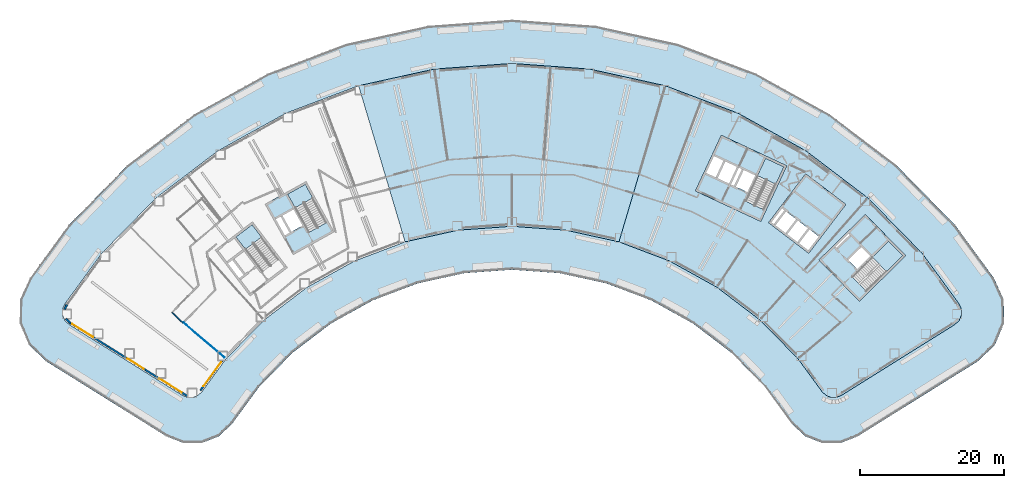
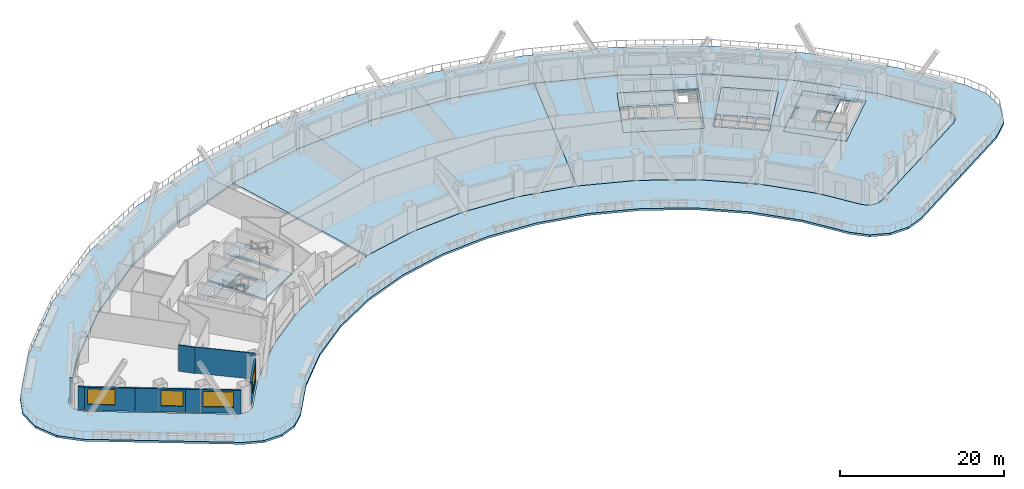
# One storey, part 2 of 12: 11 slabs, 8 walls, 4 windows, 4 openings, 4 elements without a shape of their own.
"""IFC4 building model written with IfcOpenShell, lengths in metres."""

from ifc_helpers import new_model, si_unit, direction, frame, frame_2d, origin, place, context, subcontext, project, spatial, polyline, rectangle, outline, extrude, material, layer, layer_set, type_object, element, fill, aggregate, save


model = new_model("IFC4")

# Units and contexts
model_context = context("Model", 3, precision=1e-05, world=origin(), true_north=direction((0.0, 1.0)))
body_context = subcontext(model_context, "Body", "Model", "MODEL_VIEW")
ifc_project = project(units=[si_unit("LENGTHUNIT", "METRE"), si_unit("AREAUNIT", "SQUARE_METRE"), si_unit("VOLUMEUNIT", "CUBIC_METRE"), si_unit("PLANEANGLEUNIT", "RADIAN"), si_unit("MASSUNIT", "GRAM", prefix="KILO")], contexts=[model_context])

# Site, building, storey
site_placement = place(None, origin())
site = spatial("IfcSite", under=ifc_project, at=site_placement, CompositionType="ELEMENT")
building_placement = place(site_placement, origin())
building = spatial("IfcBuilding", under=site, at=building_placement, Name="Tuul Gate Civic Tower", CompositionType="ELEMENT")
storey_placement = place(building_placement, frame((0.0, 0.0, 31.5)))
storey = spatial("IfcBuildingStorey", under=building, at=storey_placement, Name="Level 06", CompositionType="ELEMENT", Elevation=31.5)

# Slabs
ifc_material_1 = material(Name="Concrete C40/50", Category="concrete")
ifc_layer_1 = layer(ifc_material_1, 0.300048828125)
ifc_layer_set_1 = layer_set([ifc_layer_1], Name="Concrete C40/50")
slab_type_1 = type_object("IfcSlabType", Name="Core floor slab 300", PredefinedType="FLOOR", material=ifc_layer_set_1)
slab_1_placement = place(storey_placement, frame((0.0, 0.0, -0.300048828125)))
element("IfcSlab", 1, at=slab_1_placement, inside=storey, type_object=slab_type_1, Name="FLOOR SLAB", PredefinedType="FLOOR", context=body_context, shape_type="SweptSolid", body=[
    extrude(outline(polyline([(-24.638916015625, -8.846923828125), (-28.51708984375, -1.849853515625), (-34.2021484375, -5.0009765625), (-30.32421875, -11.998046875), (-24.638916015625, -8.846923828125)]), holes=[polyline([(-29.0185546875, -7.958740234375), (-30.254638671875, -5.728515625), (-31.785400390625, -6.576904296875), (-30.54931640625, -8.80712890625), (-29.0185546875, -7.958740234375)]), polyline([(-30.8115234375, -8.95263671875), (-32.047607421875, -6.72216796875), (-32.8349609375, -7.158447265625), (-31.5986328125, -9.388916015625), (-30.8115234375, -8.95263671875)]), polyline([(-25.702392578125, -7.548828125), (-28.14990234375, -8.905517578125), (-31.08203125, -3.615234375), (-28.63427734375, -2.2587890625), (-25.702392578125, -7.548828125)])]), origin(), (0.0, 0.0, 1.0), 0.300048828125),
])
slab_2_placement = place(storey_placement, frame((0.0, 0.0, -0.300048828125)))
element("IfcSlab", 2, at=slab_2_placement, inside=storey, type_object=slab_type_1, Name="FLOOR SLAB", PredefinedType="FLOOR", context=body_context, shape_type="SweptSolid", body=[
    extrude(outline(polyline([(48.117919921875, -18.43310546875), (54.545166015625, -12.1328125), (48.945068359375, -6.419921875), (42.517822265625, -12.719970703125), (48.117919921875, -18.43310546875)]), holes=[polyline([(47.808837890625, -13.974853515625), (49.6298828125, -12.18994140625), (48.40478515625, -10.940185546875), (46.583984375, -12.72509765625), (47.808837890625, -13.974853515625)]), polyline([(44.93896484375, -11.046875), (46.760009765625, -9.261962890625), (46.514892578125, -9.011962890625), (44.69384765625, -10.797119140625), (44.93896484375, -11.046875)]), polyline([(49.086181640625, -17.062744140625), (47.12744140625, -15.064208984375), (52.160888671875, -10.130126953125), (54.11962890625, -12.128662109375), (49.086181640625, -17.062744140625)])]), origin(), (0.0, 0.0, 1.0), 0.300048828125),
])
slab_3_placement = place(storey_placement, frame((0.0, 0.0, -0.300048828125)))
element("IfcSlab", 3, at=slab_3_placement, inside=storey, type_object=slab_type_1, Name="FLOOR SLAB", PredefinedType="FLOOR", context=body_context, shape_type="SweptSolid", body=[
    extrude(outline(polyline([(34.465087890625, -7.385986328125), (38.056884765625, 0.31787109375), (28.993896484375, 4.543701171875), (25.40185546875, -3.159912109375), (34.465087890625, -7.385986328125)]), holes=[polyline([(32.60888671875, -3.32080078125), (33.6865234375, -1.009765625), (32.1005859375, -0.27001953125), (31.02294921875, -2.581298828125), (32.60888671875, -3.32080078125)]), polyline([(30.0712890625, -2.137451171875), (31.14892578125, 0.173583984375), (29.562744140625, 0.9130859375), (28.4853515625, -1.39794921875), (30.0712890625, -2.137451171875)]), polyline([(30.751220703125, -2.454345703125), (31.82861328125, -0.143310546875), (31.4208984375, 0.046875), (30.34326171875, -2.264404296875), (30.751220703125, -2.454345703125)]), polyline([(28.21337890625, -1.27099609375), (29.291015625, 1.0400390625), (27.8408203125, 1.71630859375), (26.76318359375, -0.594970703125), (28.21337890625, -1.27099609375)]), polyline([(34.889892578125, -5.7626953125), (32.353759765625, -4.580078125), (35.120849609375, 1.354736328125), (37.6572265625, 0.17236328125), (34.889892578125, -5.7626953125)])]), origin(), (0.0, 0.0, 1.0), 0.300048828125),
])
ifc_material_2 = material(Name="Concrete C40/50", Category="concrete")
ifc_layer_2 = layer(ifc_material_2, 0.300048828125)
ifc_layer_set_2 = layer_set([ifc_layer_2], Name="Concrete C40/50")
slab_type_2 = type_object("IfcSlabType", Name="Core floor slab 300 non-bearing", PredefinedType="FLOOR", material=ifc_layer_set_2)
slab_4_placement = place(storey_placement, frame((0.0, 0.0, -0.300048828125)))
element("IfcSlab", 4, at=slab_4_placement, inside=storey, type_object=slab_type_2, Name="FLOOR SLAB", PredefinedType="FLOOR", context=body_context, shape_type="SweptSolid", body=[
    extrude(outline(polyline([(41.10107421875, -11.797119140625), (46.25, -5.033935546875), (40.680908203125, -0.79296875), (35.531982421875, -7.555908203125), (41.10107421875, -11.797119140625)]), holes=[polyline([(41.044189453125, -11.37646484375), (42.497802734375, -9.467041015625), (41.22509765625, -8.49755859375), (39.77099609375, -10.4072265625), (41.044189453125, -11.37646484375)]), polyline([(39.532470703125, -10.225341796875), (40.986328125, -8.31591796875), (39.593994140625, -7.255615234375), (38.14013671875, -9.165283203125), (39.532470703125, -10.225341796875)]), polyline([(37.901611328125, -8.9833984375), (39.35546875, -7.073974609375), (37.963134765625, -6.013671875), (36.50927734375, -7.923095703125), (37.901611328125, -8.9833984375)]), polyline([(36.1796875, -7.860595703125), (37.724609375, -5.831787109375), (37.286865234375, -5.49853515625), (35.7421875, -7.527587890625), (36.1796875, -7.860595703125)])]), origin(), (0.0, 0.0, 1.0), 0.300048828125),
])

# Stair, slab
ifc_material_3 = material(Name="Concrete C40/50", Category="concrete")
stair_type = type_object("IfcStairType", Name="Exit stair", PredefinedType="HALF_TURN_STAIR", material=ifc_material_3)
stair_1_placement = place(storey_placement, origin())
stair_1 = element("IfcStair", 5, at=stair_1_placement, inside=storey, type_object=stair_type, Name="Level 06 ST-1", PredefinedType="HALF_TURN_STAIR")
ifc_material_4 = material(Name="Concrete C40/50", Category="concrete")
ifc_layer_3 = layer(ifc_material_4, 0.199951171875)
ifc_layer_set_3 = layer_set([ifc_layer_3], Name="Concrete C40/50")
slab_type_3 = type_object("IfcSlabType", Name="Exit stair landing", PredefinedType="LANDING", material=ifc_layer_set_3)
slab_5_placement = place(storey_placement, frame((0.0, 0.0, 1.89990234375)))
slab_5 = element("IfcSlab", 6, at=slab_5_placement, type_object=slab_type_3, Name="ST-1 landing 1", PredefinedType="LANDING", context=body_context, shape_type="SweptSolid", body=[
    extrude(outline(polyline([(-34.699462890625, -9.554931640625), (-36.9287109375, -11.252197265625), (-38.23193359375, -9.540283203125), (-36.0029296875, -7.843017578125), (-34.699462890625, -9.554931640625)])), origin(), (0.0, 0.0, 1.0), 0.2001953125),
])
aggregate(stair_1, [slab_5])

stair_2_placement = place(storey_placement, origin())
stair_2 = element("IfcStair", 7, at=stair_2_placement, inside=storey, type_object=stair_type, Name="Level 06 ST-2", PredefinedType="HALF_TURN_STAIR")
slab_6_placement = place(storey_placement, frame((0.0, 0.0, 1.89990234375)))
slab_6 = element("IfcSlab", 8, at=slab_6_placement, type_object=slab_type_3, Name="ST-2 landing 1", PredefinedType="LANDING", context=body_context, shape_type="SweptSolid", body=[
    extrude(outline(polyline([(-27.5908203125, -4.138427734375), (-30.041015625, -5.49658203125), (-31.084228515625, -3.61474609375), (-28.6337890625, -2.256591796875), (-27.5908203125, -4.138427734375)])), origin(), (0.0, 0.0, 1.0), 0.2001953125),
])
aggregate(stair_2, [slab_6])

stair_3_placement = place(storey_placement, origin())
stair_3 = element("IfcStair", 9, at=stair_3_placement, inside=storey, type_object=stair_type, Name="Level 06 ST-3", PredefinedType="HALF_TURN_STAIR")
slab_7_placement = place(storey_placement, frame((0.0, 0.0, 1.89990234375)))
slab_7 = element("IfcSlab", 10, at=slab_7_placement, type_object=slab_type_3, Name="ST-3 landing 1", PredefinedType="LANDING", context=body_context, shape_type="SweptSolid", body=[
    extrude(outline(polyline([(51.871337890625, -14.3349609375), (49.91015625, -12.334228515625), (52.160888671875, -10.1279296875), (54.1220703125, -12.128662109375), (51.871337890625, -14.3349609375)])), origin(), (0.0, 0.0, 1.0), 0.2001953125),
])
aggregate(stair_3, [slab_7])

stair_4_placement = place(storey_placement, origin())
stair_4 = element("IfcStair", 11, at=stair_4_placement, inside=storey, type_object=stair_type, Name="Level 06 ST-4", PredefinedType="HALF_TURN_STAIR")
slab_8_placement = place(storey_placement, frame((0.0, 0.0, 1.89990234375)))
slab_8 = element("IfcSlab", 12, at=slab_8_placement, type_object=slab_type_3, Name="ST-4 landing 1", PredefinedType="LANDING", context=body_context, shape_type="SweptSolid", body=[
    extrude(outline(polyline([(36.538818359375, -2.230224609375), (33.999755859375, -1.046142578125), (35.1201171875, 1.35693359375), (37.659423828125, 0.173095703125), (36.538818359375, -2.230224609375)])), origin(), (0.0, 0.0, 1.0), 0.2001953125),
])
aggregate(stair_4, [slab_8])

# Slabs
ifc_material_5 = material(Name="Concrete C35/45", Category="concrete")
ifc_layer_4 = layer(ifc_material_5, 0.300048828125)
ifc_layer_set_4 = layer_set([ifc_layer_4], Name="Concrete C35/45")
slab_type_4 = type_object("IfcSlabType", Name="STR-FLOOR-SLAB-300", PredefinedType="FLOOR", material=ifc_layer_set_4)
slab_9_placement = place(storey_placement, frame((0.0, 0.0, -0.300048828125)))
element("IfcSlab", 13, at=slab_9_placement, inside=storey, type_object=slab_type_4, Name="Level 06/slab/M", PredefinedType="FLOOR", context=body_context, shape_type="SweptSolid", body=[
    extrude(outline(polyline([(14.81396484375, -10.216064453125), (21.248046875, 11.406005859375), (10.736083984375, 13.721923828125), (0.0, 14.5), (-10.736083984375, 13.721923828125), (-21.248046875, 11.406005859375), (-14.81396484375, -10.216064453125), (-7.485107421875, -8.60107421875), (0.0, -8.05908203125), (7.485107421875, -8.60107421875), (14.81396484375, -10.216064453125)])), origin(), (0.0, 0.0, 1.0), 0.300048828125),
])
slab_10_placement = place(storey_placement, frame((0.0, 0.0, -0.300048828125)))
element("IfcSlab", 14, at=slab_10_placement, inside=storey, type_object=slab_type_4, Name="Level 06/slab/E", PredefinedType="FLOOR", context=body_context, shape_type="SweptSolid", body=[
    extrude(outline(polyline([(44.931884765625, -31.760009765625), (45.6259765625, -31.489990234375), (61.35595703125, -21.659912109375), (61.945068359375, -21.095947265625), (62.260009765625, -20.343017578125), (62.248046875, -19.528076171875), (61.910888671875, -18.784912109375), (56.8310546875, -11.827880859375), (49.2958984375, -4.14111328125), (40.73095703125, 2.3798828125), (31.31689453125, 7.597900390625), (21.248046875, 11.406005859375), (14.81396484375, -10.216064453125), (21.833984375, -12.87109375), (28.39794921875, -16.509033203125), (34.368896484375, -21.055908203125), (39.6220703125, -26.4150390625), (42.950927734375, -30.972900390625), (43.4951171875, -31.48193359375), (44.18701171875, -31.757080078125), (44.931884765625, -31.760009765625)]), holes=[polyline([(48.117919921875, -18.43310546875), (42.51806640625, -12.719970703125), (48.945068359375, -6.419921875), (54.544921875, -12.133056640625), (48.117919921875, -18.43310546875)]), polyline([(35.531982421875, -7.555908203125), (40.680908203125, -0.79296875), (46.25, -5.033935546875), (41.10107421875, -11.797119140625), (35.531982421875, -7.555908203125)]), polyline([(25.402099609375, -3.159912109375), (28.993896484375, 4.5439453125), (38.056884765625, 0.318115234375), (34.465087890625, -7.385986328125), (25.402099609375, -3.159912109375)])]), origin(), (0.0, 0.0, 1.0), 0.300048828125),
])
ifc_material_6 = material(Name="Concrete C40/50", Category="concrete")
ifc_layer_5 = layer(ifc_material_6, 0.300048828125)
ifc_layer_set_5 = layer_set([ifc_layer_5], Name="Concrete C40/50")
slab_type_5 = type_object("IfcSlabType", Name="STR-TERRACE-SLAB-300", PredefinedType="ROOF", material=ifc_layer_set_5)
slab_11_placement = place(storey_placement, frame((0.0, 0.0, -0.300048828125)))
element("IfcSlab", 15, at=slab_11_placement, inside=storey, type_object=slab_type_5, Name="terrace 1", PredefinedType="ROOF", context=body_context, shape_type="SweptSolid", body=[
    extrude(outline(polyline([(47.85888671875, -37.1689453125), (45.4990234375, -38.087890625), (42.967041015625, -38.0791015625), (40.613037109375, -37.14404296875), (38.763916015625, -35.4130859375), (35.032958984375, -30.304931640625), (30.387939453125, -25.56591796875), (25.10888671875, -21.5458984375), (19.304931640625, -18.3291015625), (13.097900390625, -15.98193359375), (6.617919921875, -14.553955078125), (0.0, -14.074951171875), (-6.617919921875, -14.553955078125), (-13.097900390625, -15.98193359375), (-19.304931640625, -18.3291015625), (-25.10888671875, -21.5458984375), (-30.387939453125, -25.56591796875), (-35.032958984375, -30.304931640625), (-38.763916015625, -35.4130859375), (-40.613037109375, -37.14404296875), (-42.967041015625, -38.0791015625), (-45.4990234375, -38.087890625), (-47.85888671875, -37.1689453125), (-64.535888671875, -26.7490234375), (-66.89208984375, -24.490966796875), (-68.15087890625, -21.48095703125), (-68.10302734375, -18.218017578125), (-66.757080078125, -15.24609375), (-61.419921875, -7.93896484375), (-53.27587890625, 0.368896484375), (-44.02001953125, 7.4169921875), (-33.844970703125, 13.056884765625), (-22.964111328125, 17.1708984375), (-11.60302734375, 19.675048828125), (0.0, 20.51611328125), (11.60302734375, 19.675048828125), (22.964111328125, 17.1708984375), (33.844970703125, 13.056884765625), (44.02001953125, 7.4169921875), (53.27587890625, 0.368896484375), (61.419921875, -7.93896484375), (66.757080078125, -15.24609375), (68.10302734375, -18.218017578125), (68.15087890625, -21.48095703125), (66.89208984375, -24.490966796875), (64.535888671875, -26.7490234375), (47.85888671875, -37.1689453125)]), holes=[polyline([(61.945068359375, -21.095947265625), (62.260009765625, -20.343017578125), (62.248046875, -19.528076171875), (61.910888671875, -18.784912109375), (56.8310546875, -11.827880859375), (49.2958984375, -4.14111328125), (40.73095703125, 2.3798828125), (31.31689453125, 7.597900390625), (21.248046875, 11.406005859375), (10.736083984375, 13.721923828125), (0.0, 14.5), (-10.736083984375, 13.721923828125), (-21.248046875, 11.406005859375), (-31.31689453125, 7.597900390625), (-40.73095703125, 2.3798828125), (-49.2958984375, -4.14111328125), (-56.8310546875, -11.827880859375), (-61.910888671875, -18.784912109375), (-62.248046875, -19.528076171875), (-62.260009765625, -20.343017578125), (-61.945068359375, -21.095947265625), (-61.35595703125, -21.659912109375), (-45.6259765625, -31.489990234375), (-44.931884765625, -31.760009765625), (-44.18701171875, -31.757080078125), (-43.4951171875, -31.48193359375), (-42.950927734375, -30.972900390625), (-39.6220703125, -26.4150390625), (-34.368896484375, -21.055908203125), (-28.39794921875, -16.509033203125), (-21.833984375, -12.87109375), (-14.81396484375, -10.216064453125), (-7.485107421875, -8.60107421875), (0.0, -8.05908203125), (7.485107421875, -8.60107421875), (14.81396484375, -10.216064453125), (21.833984375, -12.87109375), (28.39794921875, -16.509033203125), (34.368896484375, -21.055908203125), (39.6220703125, -26.4150390625), (42.950927734375, -30.972900390625), (43.4951171875, -31.48193359375), (44.18701171875, -31.757080078125), (44.931884765625, -31.760009765625), (45.6259765625, -31.489990234375), (61.35595703125, -21.659912109375), (61.945068359375, -21.095947265625)])]), origin(), (0.0, 0.0, 1.0), 0.300048828125),
])

# Walls
ifc_material_7 = material(Name="Gypsum board partition")
ifc_layer_6 = layer(ifc_material_7, 0.14990234375)
ifc_layer_set_6 = layer_set([ifc_layer_6], Name="Gypsum board partition")
wall_type_1 = type_object("IfcWallType", Name="Corridor wall P150", PredefinedType="PARTITIONING", material=ifc_layer_set_6)
wall_1_placement = place(storey_placement, frame((-47.08349609375, -19.9912109375, 0.0), z_axis=(0.0, 0.0, 1.0), x_axis=(0.714162857284, -0.699979580613, 0.0)))
element("IfcWall", 16, at=wall_1_placement, inside=storey, type_object=wall_type_1, Name="p053", PredefinedType="PARTITIONING", context=body_context, shape_type="SweptSolid", body=[
    extrude(rectangle(XDim=2.10009765625, YDim=0.14990234375, at=frame_2d((1.050048828125, 0.0))), origin(), (0.0, 0.0, 1.0), 3.89990234375),
])
ifc_material_8 = material(Name="Precast concrete C40/50", Category="concrete")
ifc_layer_7 = layer(ifc_material_8, 0.25)
ifc_layer_set_7 = layer_set([ifc_layer_7], Name="Precast concrete C40/50")
wall_type_2 = type_object("IfcWallType", Name="External wall", PredefinedType="STANDARD", material=ifc_layer_set_7)
wall_2_placement = place(storey_placement, frame((-61.67626953125, -18.924560546875, 0.0), z_axis=(0.0, 0.0, 1.0), x_axis=(-0.412831515496, -0.910807410934, 0.0)))
element("IfcWall", 17, at=wall_2_placement, inside=storey, type_object=wall_type_2, Name="External wall", PredefinedType="STANDARD", context=body_context, shape_type="SweptSolid", body=[
    extrude(rectangle(XDim=0.7197265625, YDim=0.25, at=frame_2d((0.35986328125, 0.0))), origin(), (0.0, 0.0, 1.0), 3.449951171875),
])
wall_3_placement = place(storey_placement, frame((-61.778076171875, -20.8798828125, 0.0), z_axis=(0.0, 0.0, 1.0), x_axis=(0.722244224905, -0.691638113172, 0.0)))
element("IfcWall", 18, at=wall_3_placement, inside=storey, type_object=wall_type_2, Name="External wall", PredefinedType="STANDARD", context=body_context, shape_type="SweptSolid", body=[
    extrude(rectangle(XDim=0.813720703125, YDim=0.25, at=frame_2d((0.40673828125, 0.0))), origin(), (0.0, 0.0, 1.0), 3.449951171875),
])

# Wall, opening, window
wall_4_placement = place(storey_placement, frame((-61.210693359375, -21.427001953125, 0.0), z_axis=(0.0, 0.0, 1.0), x_axis=(0.848042669488, -0.529927948619, 0.0)))
wall_4 = element("IfcWall", 19, at=wall_4_placement, inside=storey, type_object=wall_type_2, Name="External wall", PredefinedType="STANDARD", context=body_context, shape_type="SweptSolid", body=[
    extrude(rectangle(XDim=6.1826171875, YDim=0.25, at=frame_2d((3.09130859375, 0.0))), origin(), (0.0, 0.0, 1.0), 3.449951171875),
])
opening_1_placement = place(wall_4_placement, frame((0.340087890625, 0.0, 0.89990234375)))
opening_1 = element("IfcOpeningElement", 20, at=opening_1_placement, cuts=wall_4, Name="Opening W32", PredefinedType="OPENING", context=body_context, shape_type="SweptSolid", body=[
    extrude(rectangle(XDim=3.39990234375, YDim=2.300048828125, at=frame_2d((1.699951171875, 1.14990234375))), frame((0.0, 0.135009765625, 0.0), z_axis=(0.0, -1.0, 0.0), x_axis=(1.0, 0.0, 0.0)), (0.0, 0.0, 1.0), 0.27001953125),
])
ifc_material_9 = material(Name="Glass", Category="glass")
window_type_1 = type_object("IfcWindowType", Name="Window 3400 x 2300", PartitioningType="SINGLE_PANEL", PredefinedType="WINDOW", material=ifc_material_9)
window_1_placement = place(opening_1_placement, origin())
window_1 = element("IfcWindow", 21, at=window_1_placement, inside=storey, type_object=window_type_1, Name="Window", OverallHeight=2.300048828125, OverallWidth=3.39990234375, PartitioningType="SINGLE_PANEL", PredefinedType="WINDOW", context=body_context, shape_type="SweptSolid", body=[
    extrude(rectangle(XDim=3.39990234375, YDim=2.300048828125, at=frame_2d((1.699951171875, 1.14990234375))), frame((0.0, 0.030029296875, 0.0), z_axis=(0.0, -1.0, 0.0), x_axis=(1.0, 0.0, 0.0)), (0.0, 0.0, 1.0), 0.06005859375),
])
fill(opening_1, window_1)

wall_5_placement = place(storey_placement, frame((-55.967529296875, -24.703369140625, 0.0), z_axis=(0.0, 0.0, 1.0), x_axis=(0.848053758074, -0.529910203164, 0.0)))
wall_5 = element("IfcWall", 22, at=wall_5_placement, inside=storey, type_object=wall_type_2, Name="External wall", PredefinedType="STANDARD", context=body_context, shape_type="SweptSolid", body=[
    extrude(rectangle(XDim=6.182861328125, YDim=0.25, at=frame_2d((3.09130859375, 0.0))), origin(), (0.0, 0.0, 1.0), 3.449951171875),
])
opening_2_placement = place(wall_5_placement, frame((3.199951171875, 0.0, 0.89990234375)))
opening_2 = element("IfcOpeningElement", 23, at=opening_2_placement, cuts=wall_5, Name="Opening W37", PredefinedType="OPENING", context=body_context, shape_type="SweptSolid", body=[
    extrude(rectangle(XDim=2.64990234375, YDim=2.300048828125, at=frame_2d((1.324951171875, 1.14990234375))), frame((0.0, 0.135009765625, 0.0), z_axis=(0.0, -1.0, 0.0), x_axis=(1.0, 0.0, 0.0)), (0.0, 0.0, 1.0), 0.27001953125),
])
ifc_material_10 = material(Name="Glass", Category="glass")
window_type_2 = type_object("IfcWindowType", Name="Window 2650 x 2300", PartitioningType="SINGLE_PANEL", PredefinedType="WINDOW", material=ifc_material_10)
window_2_placement = place(opening_2_placement, origin())
window_2 = element("IfcWindow", 24, at=window_2_placement, inside=storey, type_object=window_type_2, Name="Window", OverallHeight=2.300048828125, OverallWidth=2.64990234375, PartitioningType="SINGLE_PANEL", PredefinedType="WINDOW", context=body_context, shape_type="SweptSolid", body=[
    extrude(rectangle(XDim=2.64990234375, YDim=2.300048828125, at=frame_2d((1.324951171875, 1.14990234375))), frame((0.0, 0.030029296875, 0.0), z_axis=(0.0, -1.0, 0.0), x_axis=(1.0, 0.0, 0.0)), (0.0, 0.0, 1.0), 0.06005859375),
])
fill(opening_2, window_2)

wall_6_placement = place(storey_placement, frame((-50.72412109375, -27.979736328125, 0.0), z_axis=(0.0, 0.0, 1.0), x_axis=(0.848068815002, -0.529886105707, 0.0)))
wall_6 = element("IfcWall", 25, at=wall_6_placement, inside=storey, type_object=wall_type_2, Name="External wall", PredefinedType="STANDARD", context=body_context, shape_type="SweptSolid", body=[
    extrude(rectangle(XDim=6.807373046875, YDim=0.25, at=frame_2d((3.40380859375, 0.0))), origin(), (0.0, 0.0, 1.0), 3.449951171875),
])
opening_3_placement = place(wall_6_placement, frame((2.1640625, 0.0, 0.89990234375)))
opening_3 = element("IfcOpeningElement", 26, at=opening_3_placement, cuts=wall_6, Name="Opening W21", PredefinedType="OPENING", context=body_context, shape_type="SweptSolid", body=[
    extrude(rectangle(XDim=3.699951171875, YDim=2.300048828125, at=frame_2d((1.85009765625, 1.14990234375))), frame((0.0, 0.135009765625, 0.0), z_axis=(0.0, -1.0, 0.0), x_axis=(1.0, 0.0, 0.0)), (0.0, 0.0, 1.0), 0.27001953125),
])
ifc_material_11 = material(Name="Glass", Category="glass")
window_type_3 = type_object("IfcWindowType", Name="Window W21 3700 x 2300", PartitioningType="SINGLE_PANEL", PredefinedType="WINDOW", material=ifc_material_11)
window_3_placement = place(opening_3_placement, origin())
window_3 = element("IfcWindow", 27, at=window_3_placement, inside=storey, type_object=window_type_3, Name="Window", OverallHeight=2.300048828125, OverallWidth=3.699951171875, PartitioningType="SINGLE_PANEL", PredefinedType="WINDOW", context=body_context, shape_type="SweptSolid", body=[
    extrude(rectangle(XDim=3.699951171875, YDim=2.300048828125, at=frame_2d((1.85009765625, 1.14990234375))), frame((0.0, 0.030029296875, 0.0), z_axis=(0.0, -1.0, 0.0), x_axis=(1.0, 0.0, 0.0)), (0.0, 0.0, 1.0), 0.06005859375),
])
fill(opening_3, window_3)

wall_7_placement = place(storey_placement, frame((-43.1728515625, -30.811279296875, 0.0), z_axis=(0.0, 0.0, 1.0), x_axis=(0.589712900291, 0.807612961282, 0.0)))
wall_7 = element("IfcWall", 28, at=wall_7_placement, inside=storey, type_object=wall_type_2, Name="External wall", PredefinedType="STANDARD", context=body_context, shape_type="SweptSolid", body=[
    extrude(rectangle(XDim=5.120361328125, YDim=0.25, at=frame_2d((2.56005859375, 0.0))), origin(), (0.0, 0.0, 1.0), 3.449951171875),
])
opening_4_placement = place(wall_7_placement, frame((0.75244140625, 0.0, 0.89990234375)))
opening_4 = element("IfcOpeningElement", 29, at=opening_4_placement, cuts=wall_7, Name="Opening W25", PredefinedType="OPENING", context=body_context, shape_type="SweptSolid", body=[
    extrude(rectangle(XDim=4.14990234375, YDim=2.300048828125, at=frame_2d((2.074951171875, 1.14990234375))), frame((0.0, 0.135009765625, 0.0), z_axis=(0.0, -1.0, 0.0), x_axis=(1.0, 0.0, 0.0)), (0.0, 0.0, 1.0), 0.27001953125),
])
ifc_material_12 = material(Name="Glass", Category="glass")
window_type_4 = type_object("IfcWindowType", Name="Window W25 4150 x 2300", PartitioningType="SINGLE_PANEL", PredefinedType="WINDOW", material=ifc_material_12)
window_4_placement = place(opening_4_placement, origin())
window_4 = element("IfcWindow", 30, at=window_4_placement, inside=storey, type_object=window_type_4, Name="Window", OverallHeight=2.300048828125, OverallWidth=4.14990234375, PartitioningType="SINGLE_PANEL", PredefinedType="WINDOW", context=body_context, shape_type="SweptSolid", body=[
    extrude(rectangle(XDim=4.14990234375, YDim=2.300048828125, at=frame_2d((2.074951171875, 1.14990234375))), frame((0.0, 0.030029296875, 0.0), z_axis=(0.0, -1.0, 0.0), x_axis=(1.0, 0.0, 0.0)), (0.0, 0.0, 1.0), 0.06005859375),
])
fill(opening_4, window_4)

# Wall
ifc_material_13 = material(Name="Gypsum board partition")
ifc_layer_8 = layer(ifc_material_13, 0.10009765625)
ifc_layer_set_8 = layer_set([ifc_layer_8], Name="Gypsum board partition")
wall_type_3 = type_object("IfcWallType", Name="Partition P100", PredefinedType="PARTITIONING", material=ifc_layer_set_8)
wall_8_placement = place(storey_placement, frame((-45.530517578125, -21.406982421875, 0.0), z_axis=(0.0, 0.0, 1.0), x_axis=(0.762837163952, -0.646590644298, 0.0)))
element("IfcWall", 31, at=wall_8_placement, inside=storey, type_object=wall_type_3, Name="p052", PredefinedType="PARTITIONING", context=body_context, shape_type="SweptSolid", body=[
    extrude(rectangle(XDim=7.474609375, YDim=0.10009765625, at=frame_2d((3.7373046875, 0.0))), origin(), (0.0, 0.0, 1.0), 3.89990234375),
])

save(model, "model.ifc")
